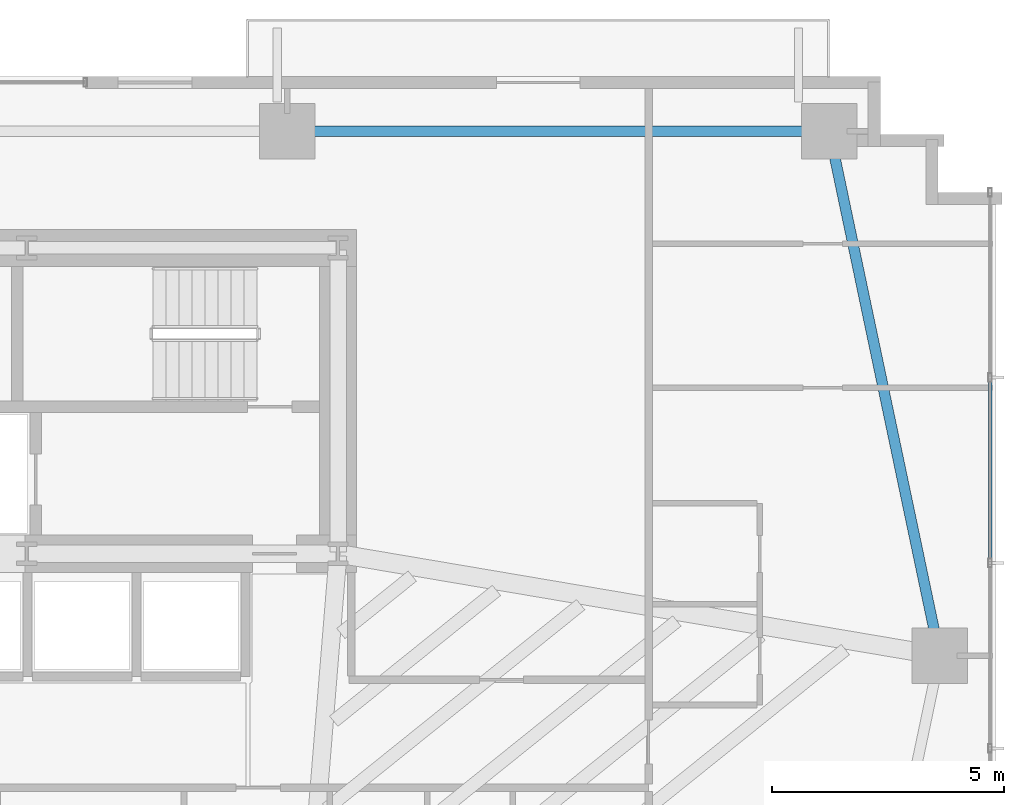
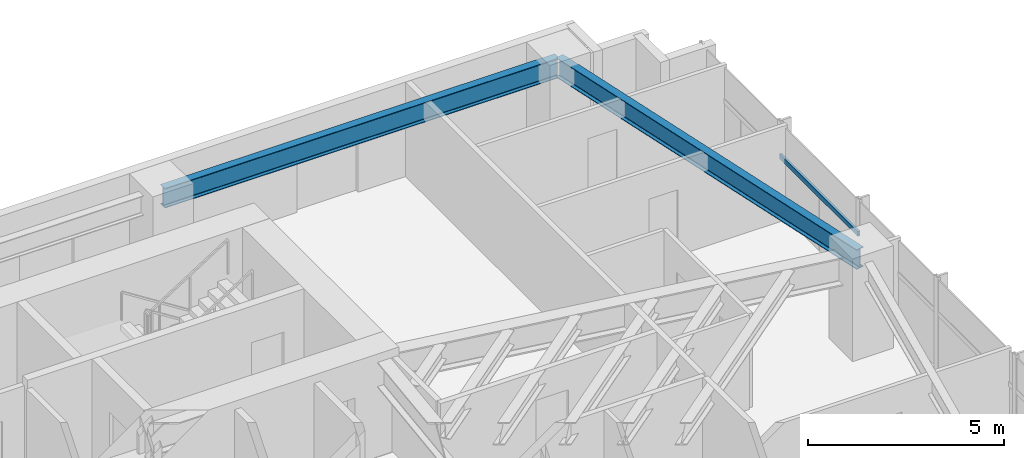
# One storey, part 16 of 25: 2 beams, 1 member, 1 element without a shape of its own.
"""IFC4 building model written with IfcOpenShell, lengths in metres."""

from ifc_helpers import new_model, si_unit, direction, frame, origin, origin_2d, place, context, subcontext, project, spatial, hollow_rectangle, i_section, extrude, source, transform, mapped, material, material_profile, profile_set, type_object, type_shapes, element, aggregate, save


model = new_model("IFC4")

# Units and contexts
model_context = context("Model", 3, precision=1e-05, world=origin(), true_north=direction((0.0, 1.0)))
body_context = subcontext(model_context, "Body", "Model", "MODEL_VIEW")
ifc_project = project(units=[si_unit("LENGTHUNIT", "METRE"), si_unit("AREAUNIT", "SQUARE_METRE"), si_unit("VOLUMEUNIT", "CUBIC_METRE"), si_unit("PLANEANGLEUNIT", "RADIAN"), si_unit("MASSUNIT", "GRAM", prefix="KILO")], contexts=[model_context])

# Site, building, storey
site_placement = place(None, origin())
site = spatial("IfcSite", under=ifc_project, at=site_placement, CompositionType="ELEMENT")
building_placement = place(site_placement, origin())
building = spatial("IfcBuilding", under=site, at=building_placement, Name="Astriad Promenade Condominiums", CompositionType="ELEMENT")
storey_placement = place(building_placement, frame((0.0, 0.0, 26.199951171875)))
storey = spatial("IfcBuildingStorey", under=building, at=storey_placement, Name="L06", CompositionType="ELEMENT", Elevation=26.199951171875)

# Beams
ifc_material_1 = material(Name="Steel ASTM A992 Grade 50", Category="steel")
ifc_material_profile_1 = material_profile(ifc_material_1, i_section(OverallWidth=0.22900390625, OverallDepth=0.612060546875, WebThickness=0.011962890625, FlangeThickness=0.01953125, FilletRadius=0.017822265625, at=origin_2d()), Name="W24X84")
ifc_profile_set_1 = profile_set([ifc_material_profile_1], Name="Steel ASTM A992 Grade 50")
beam_type = type_object("IfcBeamType", Name="STEEL SPANDREL BEAM W24X84", PredefinedType="SPANDREL", material=ifc_profile_set_1)
shared_shape_1 = source(origin(), body_context, "Body", "SweptSolid", [
    extrude(i_section(OverallWidth=0.22900390625, OverallDepth=0.612060546875, WebThickness=0.011962890625, FlangeThickness=0.01953125, FilletRadius=0.017822265625, at=origin_2d()), origin(), (0.0, 0.0, 1.0), 11.619873046875),
])
beam_1_placement = place(storey_placement, frame((56.159912109375, 26.52001953125, 2.634033203125), z_axis=(-1.0, 0.0, 0.0), x_axis=(0.0, -1.0, 0.0)))
element("IfcBeam", 1, at=beam_1_placement, inside=storey, type_object=beam_type, Name="Perimeter Spandrel Beam SP-N4-L06", PredefinedType="SPANDREL", context=body_context, shape_type="MappedRepresentation", body=[
    mapped(shared_shape_1, transform((0.0, 0.0, 0.0), scale=1.0)),
])
shared_shape_2 = source(origin(), body_context, "Body", "SweptSolid", [
    extrude(i_section(OverallWidth=0.22900390625, OverallDepth=0.612060546875, WebThickness=0.011962890625, FlangeThickness=0.01953125, FilletRadius=0.017822265625, at=origin_2d()), origin(), (0.0, 0.0, 1.0), 11.48779296875),
])
type_shapes(beam_type, [shared_shape_1, shared_shape_2])
beam_2_placement = place(storey_placement, frame((58.57177734375, 15.239013671875, 2.634033203125), z_axis=(-0.205743776427, 0.978605895374, 0.0), x_axis=(-0.978605895374, -0.205743776427, 0.0)))
element("IfcBeam", 2, at=beam_2_placement, inside=storey, type_object=beam_type, Name="Perimeter Spandrel Beam SP-E2-L06", PredefinedType="SPANDREL", context=body_context, shape_type="MappedRepresentation", body=[
    mapped(shared_shape_2, transform((0.0, 0.0, 0.0), scale=1.0)),
])

# Curtain wall, member
ifc_material_2 = material(Name="Anodised aluminium Black Dark Glass Unitised", Category="aluminium")
curtain_wall_type = type_object("IfcCurtainWallType", Name="CW-B1-DARK", PredefinedType="USERDEFINED", material=ifc_material_2)
curtain_wall_placement = place(storey_placement, origin())
curtain_wall = element("IfcCurtainWall", 3, at=curtain_wall_placement, inside=storey, type_object=curtain_wall_type, Name="CW-L06-E", ObjectType="UNITISED_CURTAIN_WALL", PredefinedType="USERDEFINED")
ifc_material_3 = material(Name="Anodised aluminium 6063-T6 Black", Category="aluminium")
ifc_material_profile_2 = material_profile(ifc_material_3, hollow_rectangle(XDim=0.074951171875, YDim=0.14990234375, WallThickness=0.004150390625, at=origin_2d()), Name="ALU-TRN-75X150")
ifc_profile_set_2 = profile_set([ifc_material_profile_2], Name="Anodised aluminium 6063-T6 Black")
member_type = type_object("IfcMemberType", Name="TRN-ALU-TRN-75X150", PredefinedType="USERDEFINED", material=ifc_profile_set_2)
shared_shape_3 = source(origin(), body_context, "Body", "SweptSolid", [
    extrude(hollow_rectangle(XDim=0.074951171875, YDim=0.14990234375, WallThickness=0.004150390625, at=origin_2d()), origin(), (0.0, 0.0, 1.0), 4.0),
])
type_shapes(member_type, [shared_shape_3])
member_placement = place(storey_placement, frame((59.669921875, 21.199951171875, 1.82275390625), z_axis=(0.0, -1.0, 0.0), x_axis=(1.0, 0.0, 0.0)))
member = element("IfcMember", 4, at=member_placement, type_object=member_type, Name="CW-L06-E-TRN-01-0", ObjectType="TRANSOM", PredefinedType="USERDEFINED", context=body_context, shape_type="MappedRepresentation", body=[
    mapped(shared_shape_3, transform((0.0, 0.0, 0.0), scale=1.0)),
])
aggregate(curtain_wall, [member])

save(model, "model.ifc")
